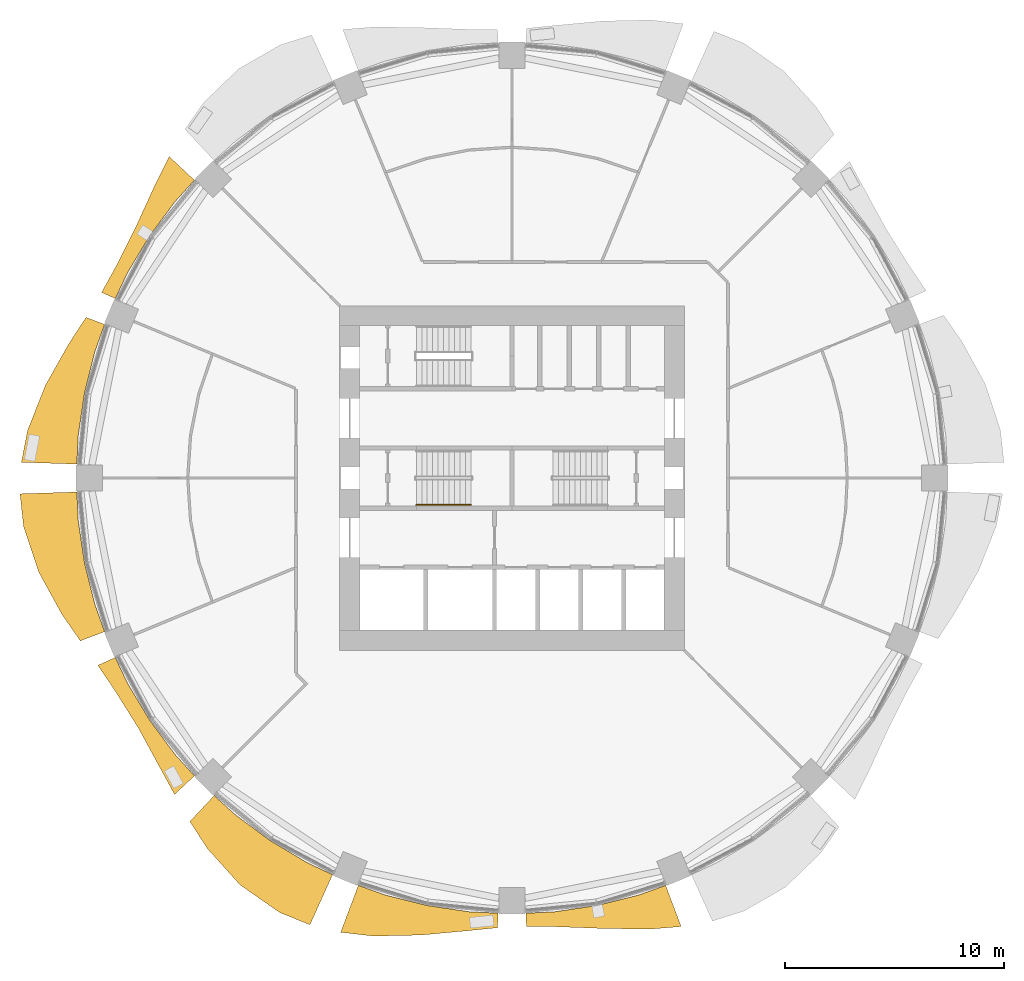
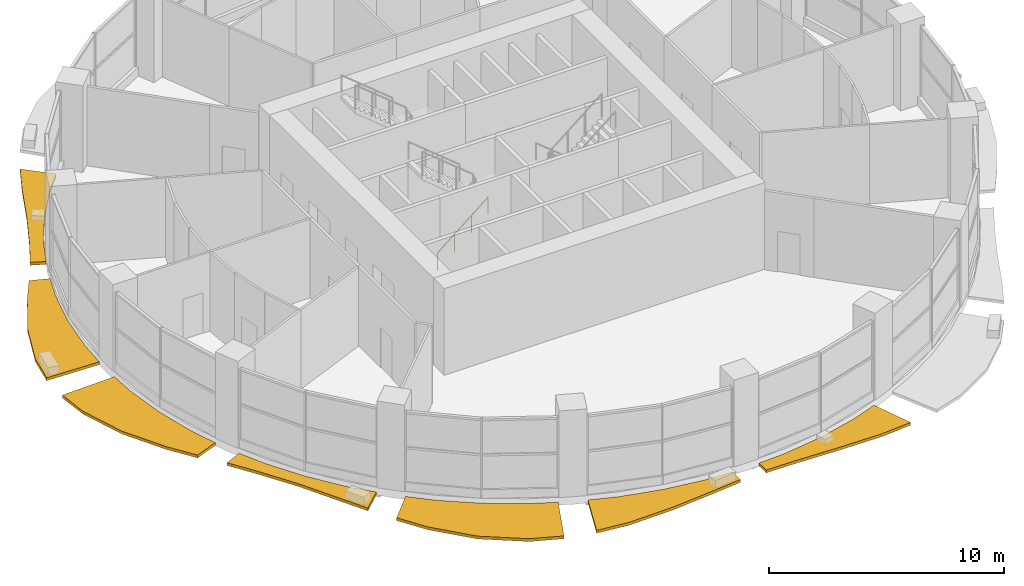
# One storey, part 11 of 14: 7 shading devices, 1 railing.
"""IFC4 building model written with IfcOpenShell, lengths in metres."""

from ifc_helpers import new_model, si_unit, direction, frame, origin, origin_2d, place, context, subcontext, project, spatial, polyline, circle, outline, extrude, material, type_object, element, save


model = new_model("IFC4")

# Units and contexts
model_context = context("Model", 3, precision=1e-05, world=origin(), true_north=direction((0.0, 1.0)))
body_context = subcontext(model_context, "Body", "Model", "MODEL_VIEW")
ifc_project = project(units=[si_unit("LENGTHUNIT", "METRE"), si_unit("AREAUNIT", "SQUARE_METRE"), si_unit("VOLUMEUNIT", "CUBIC_METRE"), si_unit("PLANEANGLEUNIT", "RADIAN"), si_unit("MASSUNIT", "GRAM", prefix="KILO")], contexts=[model_context])

# Site, building, storey
site_placement = place(None, origin())
site = spatial("IfcSite", under=ifc_project, at=site_placement, CompositionType="ELEMENT")
building_placement = place(site_placement, origin())
building = spatial("IfcBuilding", under=site, at=building_placement, Name="Polderwave Tower", CompositionType="ELEMENT")
storey_placement = place(building_placement, frame((0.0, 0.0, 9.89990234375)))
storey = spatial("IfcBuildingStorey", under=building, at=storey_placement, Name="L02", CompositionType="ELEMENT", Elevation=9.89990234375)

# Railing
ifc_material_1 = material(Name="Stainless steel", Category="steel")
railing_type = type_object("IfcRailingType", Name="Stair handrail 900", PredefinedType="HANDRAIL", material=ifc_material_1)
railing_placement = place(storey_placement, frame((-4.3740234375, -1.22509765625, 0.20458984375)))
element("IfcRailing", 1, at=railing_placement, inside=storey, type_object=railing_type, Name="L02 ST-A stair handrail 1", PredefinedType="HANDRAIL", context=body_context, shape_type="SweptSolid", body=[
    extrude(circle(Radius=0.02392578125, at=origin_2d()), frame((0.0, 0.0, 0.8759765625), z_axis=(0.773964034227, 0.0, 0.633229558472), x_axis=(0.0, 1.0, 0.0)), (0.0, 0.0, 1.0), 3.230224609375),
    extrude(circle(Radius=0.02099609375, at=origin_2d()), origin(), (0.0, 0.0, 1.0), 0.851806640625),
    extrude(circle(Radius=0.02099609375, at=origin_2d()), frame((0.833251953125, 0.0, 0.681884765625)), (0.0, 0.0, 1.0), 0.851806640625),
    extrude(circle(Radius=0.02099609375, at=origin_2d()), frame((1.666748046875, 0.0, 1.363525390625)), (0.0, 0.0, 1.0), 0.851806640625),
    extrude(circle(Radius=0.02099609375, at=origin_2d()), frame((2.5, 0.0, 2.04541015625)), (0.0, 0.0, 1.0), 0.851806640625),
])

# Shading devices
ifc_material_2 = material(Name="Terracotta", Category="masonry")
shading_device_type = type_object("IfcShadingDeviceType", Name="Terracotta sunshade band", PredefinedType="USERDEFINED", material=ifc_material_2)
shading_device_1_placement = place(storey_placement, frame((0.0, 0.0, -0.39990234375)))
element("IfcShadingDevice", 2, at=shading_device_1_placement, inside=storey, type_object=shading_device_type, Name="Sunshade band L02 7", ObjectType="SUNSHADE", PredefinedType="USERDEFINED", context=body_context, shape_type="SweptSolid", body=[
    extrude(outline(polyline([(-14.51416015625, 13.61279296875), (-15.3984375, 12.63720703125), (-16.56298828125, 11.06689453125), (-17.56787109375, 9.39013671875), (-18.130859375, 8.199951171875), (-18.75830078125, 8.48388671875), (-18.097412109375, 9.673095703125), (-17.189208984375, 11.485595703125), (-16.319580078125, 13.393310546875), (-15.663818359375, 14.69091796875), (-14.51416015625, 13.61279296875)])), origin(), (0.0, 0.0, 1.0), 0.14990234375),
])
shading_device_2_placement = place(storey_placement, frame((0.0, 0.0, -0.39990234375)))
element("IfcShadingDevice", 3, at=shading_device_2_placement, inside=storey, type_object=shading_device_type, Name="Sunshade band L02 8", ObjectType="SUNSHADE", PredefinedType="USERDEFINED", context=body_context, shape_type="SweptSolid", body=[
    extrude(outline(polyline([(-18.61865234375, 7.022216796875), (-19.062255859375, 5.782470703125), (-19.537109375, 3.88623046875), (-19.82421875, 1.952392578125), (-19.888671875, 0.637451171875), (-22.423095703125, 0.71875), (-22.139404296875, 2.180419921875), (-21.324462890625, 4.24169921875), (-20.251953125, 6.143310546875), (-19.469970703125, 7.34326171875), (-18.61865234375, 7.022216796875)])), origin(), (0.0, 0.0, 1.0), 0.14990234375),
])
shading_device_3_placement = place(storey_placement, frame((0.0, 0.0, -0.39990234375)))
element("IfcShadingDevice", 4, at=shading_device_3_placement, inside=storey, type_object=shading_device_type, Name="Sunshade band L02 9", ObjectType="SUNSHADE", PredefinedType="USERDEFINED", context=body_context, shape_type="SweptSolid", body=[
    extrude(outline(polyline([(-19.888671875, -0.637451171875), (-19.82421875, -1.952392578125), (-19.537109375, -3.88623046875), (-19.062255859375, -5.782470703125), (-18.61865234375, -7.022216796875), (-19.730224609375, -7.44140625), (-20.566650390625, -6.23876953125), (-21.62841796875, -4.30224609375), (-22.324951171875, -2.19873046875), (-22.487060546875, -0.720703125), (-19.888671875, -0.637451171875)])), origin(), (0.0, 0.0, 1.0), 0.14990234375),
])
shading_device_4_placement = place(storey_placement, frame((0.0, 0.0, -0.39990234375)))
element("IfcShadingDevice", 5, at=shading_device_4_placement, inside=storey, type_object=shading_device_type, Name="Sunshade band L02 10", ObjectType="SUNSHADE", PredefinedType="USERDEFINED", context=body_context, shape_type="SweptSolid", body=[
    extrude(outline(polyline([(-18.130859375, -8.199951171875), (-17.56787109375, -9.39013671875), (-16.56298828125, -11.06689453125), (-15.3984375, -12.63720703125), (-14.51416015625, -13.61279296875), (-15.423583984375, -14.4658203125), (-16.10400390625, -13.21630859375), (-17.08251953125, -11.414306640625), (-18.155029296875, -9.7041015625), (-18.92919921875, -8.56103515625), (-18.130859375, -8.199951171875)])), origin(), (0.0, 0.0, 1.0), 0.14990234375),
])
shading_device_5_placement = place(storey_placement, frame((0.0, 0.0, -0.39990234375)))
element("IfcShadingDevice", 6, at=shading_device_5_placement, inside=storey, type_object=shading_device_type, Name="Sunshade band L02 11", ObjectType="SUNSHADE", PredefinedType="USERDEFINED", context=body_context, shape_type="SweptSolid", body=[
    extrude(outline(polyline([(-13.61279296875, -14.51416015625), (-12.63720703125, -15.3984375), (-11.06689453125, -16.56298828125), (-9.39013671875, -17.56787109375), (-8.199951171875, -18.130859375), (-9.23486328125, -20.4189453125), (-10.61572265625, -19.860595703125), (-12.42626953125, -18.59716796875), (-13.9111328125, -16.95068359375), (-14.723388671875, -15.698486328125), (-13.61279296875, -14.51416015625)])), origin(), (0.0, 0.0, 1.0), 0.14990234375),
])
shading_device_6_placement = place(storey_placement, frame((0.0, 0.0, -0.39990234375)))
element("IfcShadingDevice", 7, at=shading_device_6_placement, inside=storey, type_object=shading_device_type, Name="Sunshade band L02 12", ObjectType="SUNSHADE", PredefinedType="USERDEFINED", context=body_context, shape_type="SweptSolid", body=[
    extrude(outline(polyline([(-7.022216796875, -18.61865234375), (-5.782470703125, -19.062255859375), (-3.88623046875, -19.537109375), (-1.952392578125, -19.82421875), (-0.637451171875, -19.888671875), (-0.65869140625, -20.552734375), (-2.0380859375, -20.693359375), (-4.155029296875, -20.888427734375), (-6.3505859375, -20.934814453125), (-7.830322265625, -20.761474609375), (-7.022216796875, -18.61865234375)])), origin(), (0.0, 0.0, 1.0), 0.14990234375),
])
shading_device_7_placement = place(storey_placement, frame((0.0, 0.0, -0.39990234375)))
element("IfcShadingDevice", 8, at=shading_device_7_placement, inside=storey, type_object=shading_device_type, Name="Sunshade band L02 13", ObjectType="SUNSHADE", PredefinedType="USERDEFINED", context=body_context, shape_type="SweptSolid", body=[
    extrude(outline(polyline([(0.637451171875, -19.888671875), (1.952392578125, -19.82421875), (3.88623046875, -19.537109375), (5.782470703125, -19.062255859375), (7.022216796875, -18.61865234375), (7.732177734375, -20.501220703125), (6.2548828125, -20.6201171875), (4.094482421875, -20.58447265625), (2.02001953125, -20.5078125), (0.65673828125, -20.48876953125), (0.637451171875, -19.888671875)])), origin(), (0.0, 0.0, 1.0), 0.14990234375),
])

save(model, "model.ifc")
